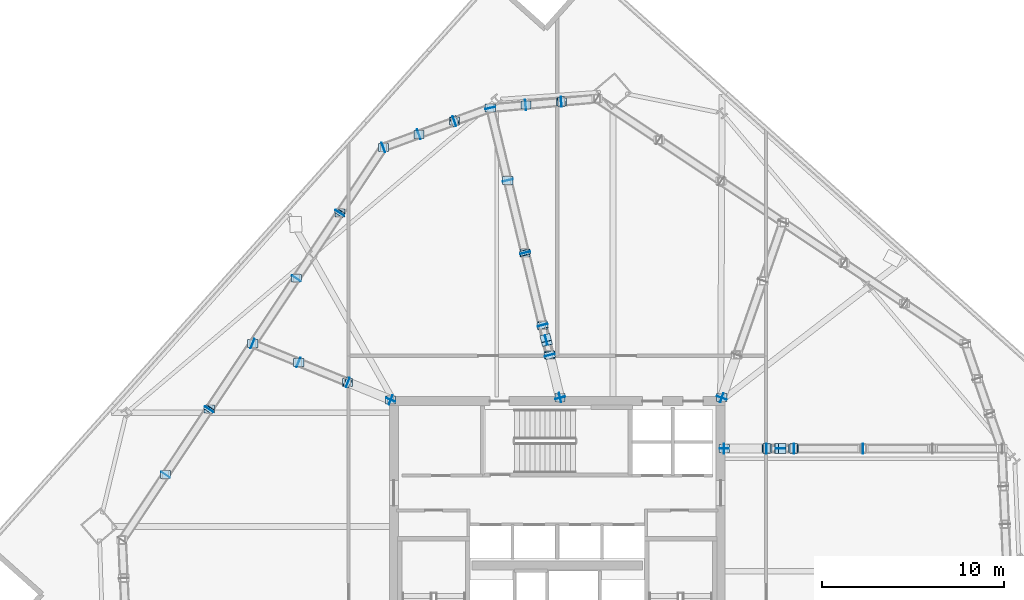
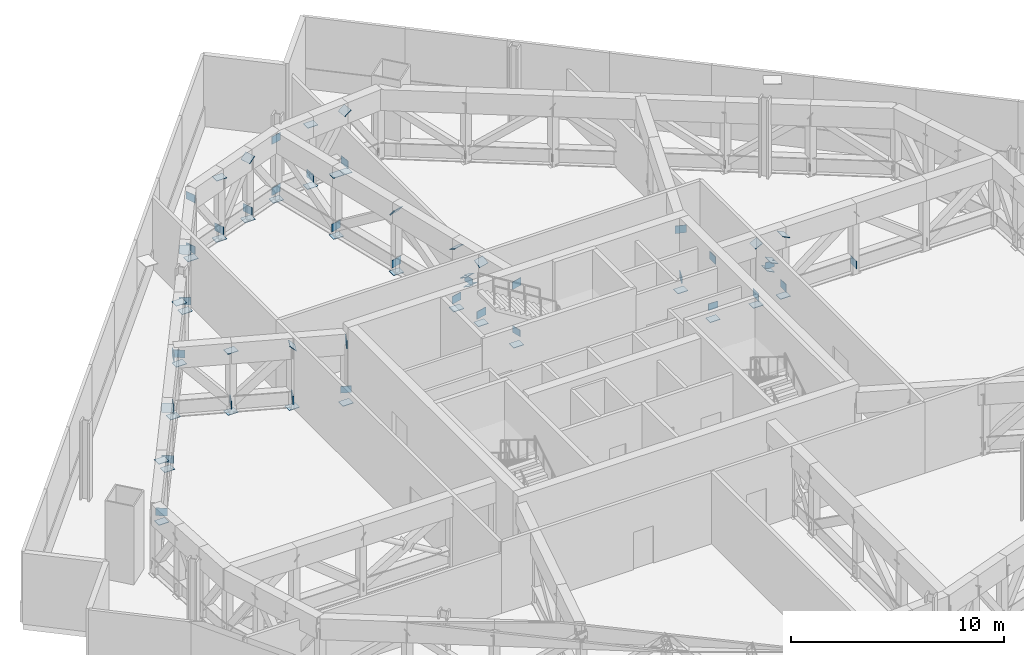
# One storey, part 10 of 18: 76 plates.
"""IFC4 building model written with IfcOpenShell, lengths in metres."""

from ifc_helpers import new_model, si_unit, direction, frame, origin, origin_2d, place, context, subcontext, project, spatial, rectangle, extrude, source, transform, mapped, material, layer, layer_set, type_object, element, save


model = new_model("IFC4")

# Units and contexts
model_context = context("Model", 3, precision=1e-05, world=origin(), true_north=direction((0.0, 1.0)))
body_context = subcontext(model_context, "Body", "Model", "MODEL_VIEW")
ifc_project = project(units=[si_unit("LENGTHUNIT", "METRE"), si_unit("AREAUNIT", "SQUARE_METRE"), si_unit("VOLUMEUNIT", "CUBIC_METRE"), si_unit("PLANEANGLEUNIT", "RADIAN"), si_unit("MASSUNIT", "GRAM", prefix="KILO")], contexts=[model_context])

# Site, building, storey
site_placement = place(None, origin())
site = spatial("IfcSite", under=ifc_project, at=site_placement, CompositionType="ELEMENT")
building_placement = place(site_placement, origin())
building = spatial("IfcBuilding", under=site, at=building_placement, Name="Haldenkirk Collegiate Tower", CompositionType="ELEMENT")
storey_placement = place(building_placement, frame((0.0, 0.0, 189.449951171875)))
storey = spatial("IfcBuildingStorey", under=building, at=storey_placement, Name="L47", CompositionType="ELEMENT", Elevation=189.449951171875)

# Plates
ifc_material = material(Name="Steel ASTM A572 Grade 50", Category="steel")
ifc_layer_1 = layer(ifc_material, 0.028076171875)
ifc_layer_set_1 = layer_set([ifc_layer_1], Name="Steel ASTM A572 Grade 50")
plate_type_1 = type_object("IfcPlateType", Name="PLT-CAP-INT-560X440", PredefinedType="USERDEFINED", material=ifc_layer_set_1)
shared_shape_1 = source(origin(), body_context, "Body", "SweptSolid", [
    extrude(rectangle(XDim=0.56005859375, YDim=0.43994140625, at=origin_2d()), origin(), (0.0, 0.0, 1.0), 0.028076171875),
])
for number, where, z_axis, x_axis, name in (
    (1, (45.203125, 31.3837890625, 3.489990234375), (-1.0, 0.0, 0.0), (0.0, -1.0, 0.0), "Outrigger Truss L47 Radial 02 top chord 1 end cap plate 1"),
    (2, (47.55322265625, 31.3837890625, 0.550048828125), (-1.0, 0.0, 0.0), (0.0, -1.0, 0.0), "Outrigger Truss L47 Radial 02 bottom chord 2 end plate 1"),
    (3, (49.0185546875, 31.3837890625, 0.550048828125), (1.0, 0.0, 0.0), (0.0, 1.0, 0.0), "Outrigger Truss L47 Radial 02 bottom chord 2 end plate 2"),
    (4, (47.551513671875, 31.3837890625, 3.4873046875), (-0.447603153207, 0.0, 0.894232306081), (0.0, -1.0, 0.0), "Outrigger Truss L47 Radial 02 web diagonal 2 end cap plate 1"),
    (5, (48.177001953125, 31.3837890625, 1.802734375), (0.447611951092, 0.0, 0.894227902293), (0.0, 1.0, 0.0), "Outrigger Truss L47 Radial 02 split X-brace diagonal 2A end cap plate 2"),
    (6, (48.39453125, 31.3837890625, 2.2373046875), (-0.447611951092, 0.0, -0.894227902293), (0.0, -1.0, 0.0), "Outrigger Truss L47 Radial 02 split X-brace diagonal 2B end cap plate 1"),
    (7, (49.020263671875, 31.3837890625, 3.4873046875), (0.447611951092, 0.0, 0.894227902293), (0.0, 1.0, 0.0), "Outrigger Truss L47 Radial 02 split X-brace diagonal 2B end cap plate 2"),
    (8, (52.84033203125, 31.3837890625, 0.550048828125), (1.0, 0.0, 0.0), (0.0, 1.0, 0.0), "Outrigger Truss L47 Radial 02 bottom chord 3 end plate 2"),
    (9, (45.199951171875, 31.3837890625, 0.0029296875), (0.0, 0.0, -1.0), (1.0, 0.0, 0.0), "Outrigger Truss L47 Radial 02 vertical post 1 end cap plate 1"),
    (10, (47.550048828125, 31.3837890625, 0.0029296875), (0.0, 0.0, -1.0), (1.0, 0.0, 0.0), "Outrigger Truss L47 Radial 02 vertical post 2 end cap plate 1"),
    (11, (49.021484375, 31.3837890625, 0.0029296875), (0.0, 0.0, -1.0), (1.0, 0.0, 0.0), "Outrigger Truss L47 Radial 02 vertical post 3 end cap plate 1"),
    (12, (36.152587890625, 34.197265625, 3.489990234375), (0.234409015198, -0.972138063031, 0.0), (0.972138063031, 0.234409015198, 0.0), "Outrigger Truss L47 Radial 03 top chord 1 end cap plate 1"),
    (13, (35.58447265625, 36.552978515625, 0.550048828125), (0.234396990918, -0.972140962334, 0.0), (0.972140962334, 0.234396990918, 0.0), "Outrigger Truss L47 Radial 03 bottom chord 2 end plate 1"),
    (14, (35.1923828125, 38.177978515625, 0.550048828125), (-0.234396990918, 0.972140962334, 0.0), (-0.972140962334, -0.234396990918, 0.0), "Outrigger Truss L47 Radial 03 bottom chord 2 end plate 2"),
    (15, (35.584716796875, 36.551513671875, 3.487548828125), (0.11615900386, -0.48182901601, 0.868532028859), (0.972148692835, 0.234364927023, -1.829e-09), "Outrigger Truss L47 Radial 03 web diagonal 2 end cap plate 1"),
    (16, (35.416748046875, 37.248291015625, 1.80908203125), (-0.116138982801, 0.481835928645, 0.86853087138), (-0.972158601955, -0.234323820056, 1.43102e-07), "Outrigger Truss L47 Radial 03 split X-brace diagonal 2A end cap plate 2"),
    (17, (35.360107421875, 37.482666015625, 2.23095703125), (0.116138982801, -0.481835928645, -0.86853087138), (0.972158601955, 0.234323820056, -1.43102e-07), "Outrigger Truss L47 Radial 03 split X-brace diagonal 2B end cap plate 1"),
    (18, (35.1923828125, 38.179443359375, 3.487548828125), (-0.116138982801, 0.481835928645, 0.86853087138), (-0.972158601955, -0.234323820056, 1.43102e-07), "Outrigger Truss L47 Radial 03 split X-brace diagonal 2B end cap plate 2"),
    (19, (34.231201171875, 42.16455078125, 0.550048828125), (-0.234396990918, 0.972140962334, 0.0), (-0.972140962334, -0.234396990918, 0.0), "Outrigger Truss L47 Radial 03 bottom chord 3 end plate 2"),
    (20, (34.231201171875, 42.165283203125, 3.488037109375), (-0.19051298638, 0.790073943517, 0.582655958346), (-0.97213680588, -0.234414228779, -1.9207e-07), "Outrigger Truss L47 Radial 03 web diagonal 3 end cap plate 2"),
    (21, (33.27001953125, 46.151123046875, 0.550048828125), (-0.234396990918, 0.972140962334, 0.0), (-0.972140962334, -0.234396990918, 0.0), "Outrigger Truss L47 Radial 03 bottom chord 4 end plate 2"),
    (22, (32.308837890625, 50.137939453125, 3.489990234375), (-0.234391092696, 0.972142384461, 0.0), (-0.972142384461, -0.234391092696, 0.0), "Outrigger Truss L47 Radial 03 top chord 5 end cap plate 2"),
    (23, (32.308837890625, 50.137939453125, 0.550048828125), (-0.234396990918, 0.972140962334, 0.0), (-0.972140962334, -0.234396990918, 0.0), "Outrigger Truss L47 Radial 03 bottom chord 5 end plate 2"),
    (24, (36.153076171875, 34.1943359375, 0.0029296875), (0.0, 0.0, -1.0), (1.0, 0.0, 0.0), "Outrigger Truss L47 Radial 03 vertical post 1 end cap plate 1"),
    (25, (35.585205078125, 36.550048828125, 0.0029296875), (0.0, 0.0, -1.0), (1.0, 0.0, 0.0), "Outrigger Truss L47 Radial 03 vertical post 2 end cap plate 1"),
    (26, (35.19189453125, 38.180908203125, 0.0029296875), (0.0, 0.0, -1.0), (1.0, 0.0, 0.0), "Outrigger Truss L47 Radial 03 vertical post 3 end cap plate 1"),
    (27, (34.230712890625, 42.16748046875, 0.0029296875), (0.0, 0.0, -1.0), (1.0, 0.0, 0.0), "Outrigger Truss L47 Radial 03 vertical post 4 end cap plate 1"),
    (28, (33.269287109375, 46.154296875, 0.0029296875), (0.0, 0.0, -1.0), (1.0, 0.0, 0.0), "Outrigger Truss L47 Radial 03 vertical post 5 end cap plate 1"),
    (29, (33.269287109375, 46.154296875, 3.48681640625), (0.0, 0.0, 1.0), (1.0, 0.0, 0.0), "Outrigger Truss L47 Radial 03 vertical post 5 end cap plate 2"),
    (30, (32.30810546875, 50.140869140625, 0.0029296875), (0.0, 0.0, -1.0), (1.0, 0.0, 0.0), "Outrigger Truss L47 Radial 03 vertical post 6 end cap plate 1"),
    (31, (45.067138671875, 34.191650390625, 3.489990234375), (-0.330592819046, -0.943773483414, 0.0), (0.943773483414, -0.330592819046, 0.0), "Outrigger Truss L47 Radial 06 top chord 1 end cap plate 1"),
    (32, (45.066162109375, 34.188720703125, 0.0029296875), (0.0, 0.0, -1.0), (1.0, 0.0, 0.0), "Outrigger Truss L47 Radial 06 vertical post 1 end cap plate 1"),
    (33, (26.81201171875, 34.07666015625, 3.489990234375), (0.92615216226, -0.377150066076, 0.0), (0.377150066076, 0.92615216226, 0.0), "Outrigger Truss L47 Radial 07 top chord 1 end cap plate 1"),
    (34, (24.447265625, 35.03955078125, 0.550048828125), (0.926155034048, -0.377143013865, 0.0), (0.377143013865, 0.926155034048, 0.0), "Outrigger Truss L47 Radial 07 bottom chord 2 end plate 1"),
    (35, (21.758544921875, 36.13427734375, 0.550048828125), (-0.926155034048, 0.377143013865, 0.0), (-0.377143013865, -0.926155034048, 0.0), "Outrigger Truss L47 Radial 07 bottom chord 2 end plate 2"),
    (36, (24.4482421875, 35.0390625, 3.48779296875), (0.651399134598, -0.265265054811, 0.710854146883), (0.37715087565, 0.926151832583, -5.2581e-08), "Outrigger Truss L47 Radial 07 web diagonal 2 end cap plate 1"),
    (37, (19.229248046875, 37.164306640625, 3.489990234375), (-0.926161126743, 0.377128051609, 0.0), (-0.377128051609, -0.926161126743, 0.0), "Outrigger Truss L47 Radial 07 top chord 3 end cap plate 2"),
    (38, (19.229248046875, 37.164306640625, 0.550048828125), (-0.926155034048, 0.377143013865, 0.0), (-0.377143013865, -0.926155034048, 0.0), "Outrigger Truss L47 Radial 07 bottom chord 3 end plate 2"),
    (39, (26.814697265625, 34.075439453125, 0.0029296875), (0.0, 0.0, -1.0), (1.0, 0.0, 0.0), "Outrigger Truss L47 Radial 07 vertical post 1 end cap plate 1"),
    (40, (24.449951171875, 35.038330078125, 0.0029296875), (0.0, 0.0, -1.0), (1.0, 0.0, 0.0), "Outrigger Truss L47 Radial 07 vertical post 2 end cap plate 1"),
    (41, (21.755859375, 36.135498046875, 0.0029296875), (0.0, 0.0, -1.0), (1.0, 0.0, 0.0), "Outrigger Truss L47 Radial 07 vertical post 3 end cap plate 1"),
    (42, (21.755859375, 36.135498046875, 3.48681640625), (0.0, 0.0, 1.0), (1.0, 0.0, 0.0), "Outrigger Truss L47 Radial 07 vertical post 3 end cap plate 2"),
    (43, (19.226318359375, 37.16552734375, 0.0029296875), (0.0, 0.0, -1.0), (1.0, 0.0, 0.0), "Outrigger Truss L47 Radial 07 vertical post 4 end cap plate 1"),
    (44, (36.234130859375, 50.492919921875, 0.550048828125), (-0.996003158796, -0.08931801424, 0.0), (0.08931801424, -0.996003158796, 0.0), "Belt Truss L47-08 bottom chord 1 end plate 2"),
    (45, (36.23291015625, 50.492919921875, 3.487548828125), (-0.554307976053, -0.049707997853, 0.830825964107), (0.089317812018, -0.996003176931, 3.03102e-07), "Belt Truss L47-08 web diagonal 1 end cap plate 2"),
    (46, (34.272705078125, 50.31689453125, 0.550048828125), (-0.996003158796, -0.08931801424, 0.0), (0.08931801424, -0.996003158796, 0.0), "Belt Truss L47-08 bottom chord 2 end plate 2"),
    (47, (36.231201171875, 50.49267578125, 0.0029296875), (0.0, 0.0, -1.0), (1.0, 0.0, 0.0), "Belt Truss L47-08 vertical post 2 end cap plate 1"),
    (48, (34.269775390625, 50.316650390625, 0.0029296875), (0.0, 0.0, -1.0), (1.0, 0.0, 0.0), "Belt Truss L47-08 vertical post 3 end cap plate 1"),
    (49, (34.269775390625, 50.316650390625, 3.48681640625), (0.0, 0.0, 1.0), (1.0, 0.0, 0.0), "Belt Truss L47-08 vertical post 3 end cap plate 2"),
    (50, (30.350830078125, 49.4228515625, 0.550048828125), (-0.938834011052, -0.344370004054, 0.0), (0.344370004054, -0.938834011052, 0.0), "Belt Truss L47-09 bottom chord 1 end plate 2"),
    (51, (30.349609375, 49.42236328125, 3.487548828125), (-0.543600016266, -0.199392005967, 0.815317024397), (0.344364132748, -0.938836164662, -9.5646e-08), "Belt Truss L47-09 web diagonal 1 end cap plate 2"),
    (52, (28.390869140625, 48.703857421875, 0.550048828125), (-0.938834011052, -0.344370004054, 0.0), (0.344370004054, -0.938834011052, 0.0), "Belt Truss L47-09 bottom chord 2 end plate 2"),
    (53, (26.4306640625, 47.98486328125, 3.489990234375), (-0.938836188053, -0.344364068978, 0.0), (0.344364068978, -0.938836188053, 0.0), "Belt Truss L47-09 top chord 3 end cap plate 2"),
    (54, (26.4306640625, 47.98486328125, 0.550048828125), (-0.938834011052, -0.344370004054, 0.0), (0.344370004054, -0.938834011052, 0.0), "Belt Truss L47-09 bottom chord 3 end plate 2"),
    (55, (30.347900390625, 49.421875, 0.0029296875), (0.0, 0.0, -1.0), (1.0, 0.0, 0.0), "Belt Truss L47-09 vertical post 2 end cap plate 1"),
    (56, (28.387939453125, 48.702880859375, 0.0029296875), (0.0, 0.0, -1.0), (1.0, 0.0, 0.0), "Belt Truss L47-09 vertical post 3 end cap plate 1"),
    (57, (28.387939453125, 48.702880859375, 3.48681640625), (0.0, 0.0, 1.0), (1.0, 0.0, 0.0), "Belt Truss L47-09 vertical post 3 end cap plate 2"),
    (58, (26.427734375, 47.98388671875, 0.0029296875), (0.0, 0.0, -1.0), (1.0, 0.0, 0.0), "Belt Truss L47-09 vertical post 4 end cap plate 1"),
    (59, (24.029052734375, 44.380126953125, 0.550048828125), (-0.554119214685, -0.832437322515, 0.0), (0.832437322515, -0.554119214685, 0.0), "Belt Truss L47-10 bottom chord 1 end plate 2"),
    (60, (24.028564453125, 44.3798828125, 3.488525390625), (-0.458493874731, -0.688790811809, 0.561560846571), (0.83244064261, -0.554114226971, 2.62631e-07), "Belt Truss L47-10 web diagonal 1 end cap plate 2"),
    (61, (21.62841796875, 40.774169921875, 0.550048828125), (-0.554119214685, -0.832437322515, 0.0), (0.832437322515, -0.554119214685, 0.0), "Belt Truss L47-10 bottom chord 2 end plate 2"),
    (62, (24.02734375, 44.377685546875, 0.0029296875), (0.0, 0.0, -1.0), (1.0, 0.0, 0.0), "Belt Truss L47-10 vertical post 2 end cap plate 1"),
    (63, (21.626708984375, 40.771484375, 0.0029296875), (0.0, 0.0, -1.0), (1.0, 0.0, 0.0), "Belt Truss L47-10 vertical post 3 end cap plate 1"),
    (64, (21.626708984375, 40.771484375, 3.48681640625), (0.0, 0.0, 1.0), (1.0, 0.0, 0.0), "Belt Truss L47-10 vertical post 3 end cap plate 2"),
    (65, (16.82763671875, 33.56201171875, 0.550048828125), (-0.554115752018, -0.83243962746, 0.0), (0.83243962746, -0.554115752018, 0.0), "Belt Truss L47-11 bottom chord 1 end plate 2"),
    (66, (16.827392578125, 33.5615234375, 3.488525390625), (-0.458493874731, -0.688790811809, 0.561560846571), (0.83244064261, -0.554114226971, 2.62631e-07), "Belt Truss L47-11 web diagonal 1 end cap plate 2"),
    (67, (14.42724609375, 29.955810546875, 0.550048828125), (-0.554115752018, -0.83243962746, 0.0), (0.83243962746, -0.554115752018, 0.0), "Belt Truss L47-11 bottom chord 2 end plate 2"),
    (68, (16.825927734375, 33.559326171875, 0.0029296875), (0.0, 0.0, -1.0), (1.0, 0.0, 0.0), "Belt Truss L47-11 vertical post 2 end cap plate 1"),
    (69, (14.425537109375, 29.953125, 0.0029296875), (0.0, 0.0, -1.0), (1.0, 0.0, 0.0), "Belt Truss L47-11 vertical post 3 end cap plate 1"),
    (70, (14.425537109375, 29.953125, 3.48681640625), (0.0, 0.0, 1.0), (1.0, 0.0, 0.0), "Belt Truss L47-11 vertical post 3 end cap plate 2"),
):
    element("IfcPlate", number, at=place(storey_placement, frame(where, z_axis=z_axis, x_axis=x_axis)), inside=storey, type_object=plate_type_1, Name=name, ObjectType="END CAP PLATE", PredefinedType="USERDEFINED", context=body_context, shape_type="MappedRepresentation", body=[
        mapped(shared_shape_1, transform((0.0, 0.0, 0.0), x_axis=(1.0, 0.0, 0.0), y_axis=(0.0, 1.0, 0.0), z_axis=(0.0, 0.0, 1.0), scale=1.0)),
    ])
ifc_layer_2 = layer(ifc_material, 0.031982421875)
ifc_layer_set_2 = layer_set([ifc_layer_2], Name="Steel ASTM A572 Grade 50")
plate_type_2 = type_object("IfcPlateType", Name="PLT-GUSSET-INT-520X380", PredefinedType="USERDEFINED", material=ifc_layer_set_2)
shared_shape_2 = source(origin(), body_context, "Body", "SweptSolid", [
    extrude(rectangle(XDim=0.52001953125, YDim=0.031982421875, at=origin_2d()), origin(), (0.0, 0.0, 1.0), 0.3798828125),
])
for number, where, z_axis, x_axis, name in (
    (71, (48.285888671875, 31.3837890625, 1.830078125), (0.0, 0.0, 1.0), (1.0, 0.0, 0.0), "Outrigger Truss L47 Radial 02 X-brace crossing gusset plate 2"),
    (72, (45.199951171875, 31.3837890625, 0.550048828125), (0.0, 0.0, 1.0), (1.0, 0.0, 0.0), "Outrigger Truss L47 Radial 02 bottom node gusset plate 1"),
    (73, (35.388427734375, 37.365478515625, 1.830078125), (0.0, 0.0, 1.0), (-0.234396790021, 0.972141010773, 0.0), "Outrigger Truss L47 Radial 03 X-brace crossing gusset plate 2"),
    (74, (36.153076171875, 34.1943359375, 0.550048828125), (0.0, 0.0, 1.0), (-0.234396790021, 0.972141010773, 0.0), "Outrigger Truss L47 Radial 03 bottom node gusset plate 1"),
    (75, (45.066162109375, 34.188720703125, 0.550048828125), (0.0, 0.0, 1.0), (0.330583396421, 0.943776783996, 0.0), "Outrigger Truss L47 Radial 06 bottom node gusset plate 1"),
    (76, (26.814697265625, 34.075439453125, 0.550048828125), (0.0, 0.0, 1.0), (-0.926155051342, 0.377142971396, 0.0), "Outrigger Truss L47 Radial 07 bottom node gusset plate 1"),
):
    element("IfcPlate", number, at=place(storey_placement, frame(where, z_axis=z_axis, x_axis=x_axis)), inside=storey, type_object=plate_type_2, Name=name, ObjectType="GUSSET PLATE", PredefinedType="USERDEFINED", context=body_context, shape_type="MappedRepresentation", body=[
        mapped(shared_shape_2, transform((0.0, 0.0, 0.0), x_axis=(1.0, 0.0, 0.0), y_axis=(0.0, 1.0, 0.0), z_axis=(0.0, 0.0, 1.0), scale=1.0)),
    ])

save(model, "model.ifc")
